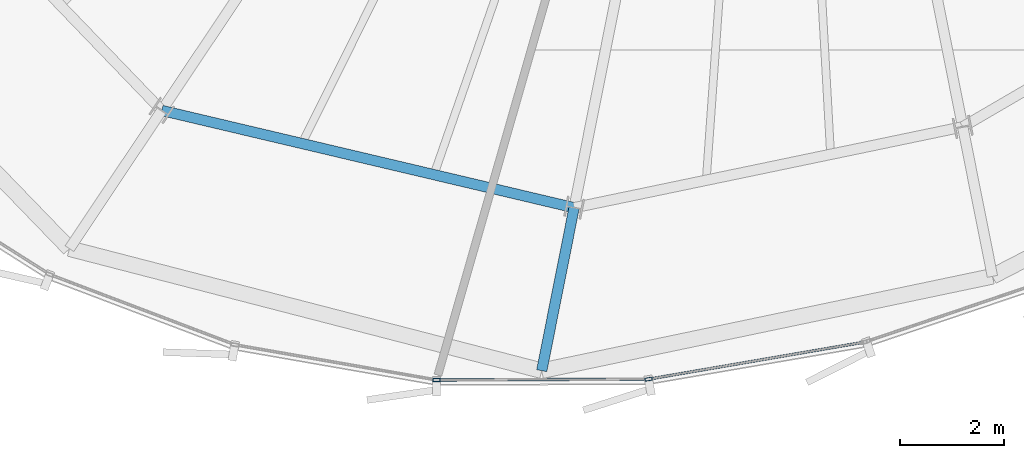
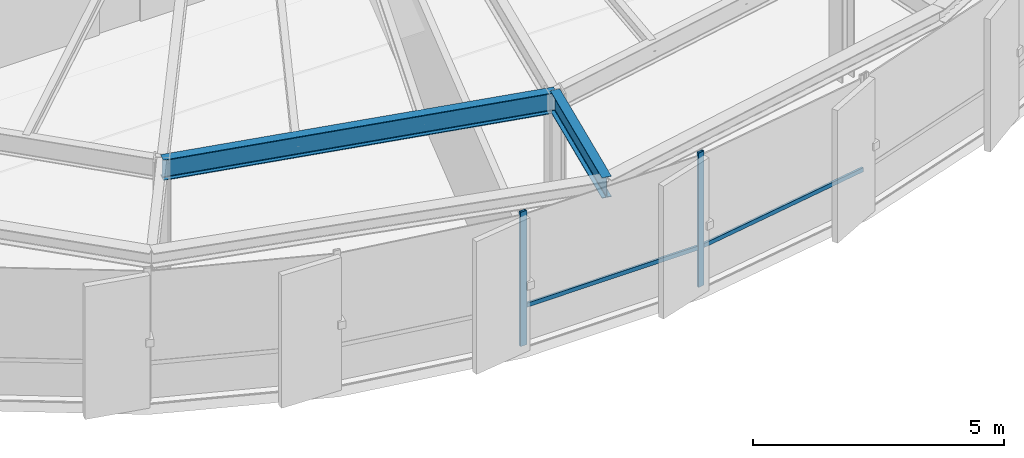
# One storey, part 6 of 35: 4 members, 2 beams, 1 element without a shape of its own.
"""IFC4 building model written with IfcOpenShell, lengths in metres."""

import ifcopenshell
import ifcopenshell.guid

model = None  # the IFC model being written
_history = None  # IfcOwnerHistory: only IFC2X3 demands one
_inside = {}  # id of a spatial element -> (the spatial element, [elements in it])
_under = {}  # id of a project, library or spatial element -> (it, [spatial elements below it])
_declared = {}  # id of a project -> (the project, [libraries it declares])
_typed = {}  # id of a type object -> (the type object, [elements of that type])
_made_of = {}  # id of a material, layer set ... -> (it, [elements and type objects made of it])


def new_model(schema):
    """Start an empty IFC model of exactly this schema.

    Asked for "IFC4X3", IfcOpenShell would pick the latest addendum, in which some entities
    have other attributes; the version numbers below select the first issue.
    IFC2X3 requires an IfcOwnerHistory on every rooted entity: one is made here for all.
    """
    global model, _history
    if schema == "IFC4X3":
        model = ifcopenshell.file(schema_version=(4, 3, 0, 0))
    else:
        model = ifcopenshell.file(schema=schema)
    _inside.clear()
    _under.clear()
    _declared.clear()
    _typed.clear()
    _made_of.clear()
    _history = None
    if model.schema == "IFC2X3":
        org = make("IfcOrganization", Name="unknown")
        user = make(
            "IfcPersonAndOrganization",
            ThePerson=make("IfcPerson", FamilyName="unknown"),
            TheOrganization=org,
        )
        app = make(
            "IfcApplication",
            ApplicationDeveloper=org,
            Version="unknown",
            ApplicationFullName="unknown",
            ApplicationIdentifier="unknown",
        )
        _history = make(
            "IfcOwnerHistory",
            OwningUser=user,
            OwningApplication=app,
            ChangeAction="ADDED",
            CreationDate=0,
        )
    return model


def make(cls, **values):
    """One entity of the class cls with the attributes given. An attribute that is None is left unset."""
    return model.create_entity(
        cls, **{name: value for name, value in values.items() if value is not None}
    )


def rooted(cls, **values):
    """An entity with a GlobalId (a new one), such as an element, a storey or a relation."""
    return make(cls, GlobalId=ifcopenshell.guid.new(), OwnerHistory=_history, **values)


def si_unit(unit_type, name, prefix=None):
    """IfcSIUnit, for example si_unit("LENGTHUNIT", "METRE", prefix="MILLI")."""
    return make("IfcSIUnit", UnitType=unit_type, Prefix=prefix, Name=name)


def assignment(units):
    """IfcUnitAssignment: the units of a project."""
    return None if units is None else make("IfcUnitAssignment", Units=units)


def point(xyz):
    """IfcCartesianPoint."""
    return None if xyz is None else make("IfcCartesianPoint", Coordinates=xyz)


def direction(xyz):
    """IfcDirection."""
    return None if xyz is None else make("IfcDirection", DirectionRatios=xyz)


def frame(location, z_axis=None, x_axis=None):
    """IfcAxis2Placement3D, a coordinate frame: its origin and axes. An axis left out is left unset."""
    return make(
        "IfcAxis2Placement3D",
        Location=point(location),
        Axis=direction(z_axis),
        RefDirection=direction(x_axis),
    )


def frame_2d(location, x_axis=None):
    """IfcAxis2Placement2D, a coordinate frame in the plane: its origin and x axis."""
    return make(
        "IfcAxis2Placement2D", Location=point(location), RefDirection=direction(x_axis)
    )


def origin():
    """The frame at (0, 0, 0) with its axes left unset."""
    return frame((0.0, 0.0, 0.0))


def origin_2d():
    """The frame at (0, 0) in the plane with its x axis left unset."""
    return frame_2d((0.0, 0.0))


def place(relative_to, where):
    """IfcLocalPlacement: puts the frame where relative to a parent placement (None: the world)."""
    return make(
        "IfcLocalPlacement", PlacementRelTo=relative_to, RelativePlacement=where
    )


def context(
    kind, dimensions, precision=None, world=None, true_north=None, identifier=None
):
    """IfcGeometricRepresentationContext, for example the 3D "Model" context."""
    return make(
        "IfcGeometricRepresentationContext",
        ContextIdentifier=identifier,
        ContextType=kind,
        CoordinateSpaceDimension=dimensions,
        Precision=precision,
        WorldCoordinateSystem=world,
        TrueNorth=true_north,
    )


def subcontext(parent, identifier, kind, view, scale=None):
    """IfcGeometricRepresentationSubContext, for example "Body" below "Model"."""
    return make(
        "IfcGeometricRepresentationSubContext",
        ContextIdentifier=identifier,
        ContextType=kind,
        ParentContext=parent,
        TargetScale=scale,
        TargetView=view,
    )


def project(units=None, contexts=None):
    """IfcProject with its units and contexts."""
    return rooted(
        "IfcProject",
        Name="project",
        RepresentationContexts=contexts,
        UnitsInContext=assignment(units),
    )


def spatial(cls, under=None, at=None, **own):
    """A site, building, storey or space (cls), placed at a placement, below another one or the project."""
    s = rooted(cls, ObjectPlacement=at, **own)
    if under is not None:
        _under.setdefault(under.id(), (under, []))[1].append(s)
    return s


def profile(cls, at=None, kind="AREA", **sizes):
    """A parametric profile (cls). Its sizes go by their IFC names, for example OverallWidth=200.0."""
    return make(cls, ProfileType=kind, Position=at, **sizes)


def hollow_rectangle(**sizes):
    """IfcRectangleHollowProfileDef."""
    return profile("IfcRectangleHollowProfileDef", **sizes)


def i_section(**sizes):
    """IfcIShapeProfileDef."""
    return profile("IfcIShapeProfileDef", **sizes)


def extrude(swept, where, along, depth):
    """IfcExtrudedAreaSolid: the profile swept, set in the frame where, extruded along a direction by depth."""
    return make(
        "IfcExtrudedAreaSolid",
        SweptArea=swept,
        Position=where,
        ExtrudedDirection=direction(along),
        Depth=depth,
    )


def shape(context_of_items, identifier, shape_type, items):
    """IfcShapeRepresentation: the items that make up one representation, for example the "Body"."""
    return make(
        "IfcShapeRepresentation",
        ContextOfItems=context_of_items,
        RepresentationIdentifier=identifier,
        RepresentationType=shape_type,
        Items=items,
    )


def source(mapping_origin, context_of_items, identifier, shape_type, items):
    """IfcRepresentationMap: a shape defined once, which mapped items show again and again."""
    return make(
        "IfcRepresentationMap",
        MappingOrigin=mapping_origin,
        MappedRepresentation=shape(context_of_items, identifier, shape_type, items),
    )


def transform(
    local_origin,
    x_axis=None,
    y_axis=None,
    z_axis=None,
    scale=None,
    scale2=None,
    scale3=None,
    uniform=True,
):
    """IfcCartesianTransformationOperator3D, or its non-uniform kind. x_axis, y_axis, z_axis: its Axis1, 2, 3."""
    if uniform:
        return make(
            "IfcCartesianTransformationOperator3D",
            Axis1=direction(x_axis),
            Axis2=direction(y_axis),
            LocalOrigin=point(local_origin),
            Scale=scale,
            Axis3=direction(z_axis),
        )
    return make(
        "IfcCartesianTransformationOperator3DnonUniform",
        Axis1=direction(x_axis),
        Axis2=direction(y_axis),
        LocalOrigin=point(local_origin),
        Scale=scale,
        Axis3=direction(z_axis),
        Scale2=scale2,
        Scale3=scale3,
    )


def mapped(mapping_source, mapping_target):
    """IfcMappedItem: shows the shape of a source again, moved by a transform."""
    return make(
        "IfcMappedItem", MappingSource=mapping_source, MappingTarget=mapping_target
    )


def material(Name=None, Category=None):
    """IfcMaterial."""
    return make("IfcMaterial", Name=Name, Category=Category)


def layer(
    of_material, thickness, ventilated=None, Name=None, Category=None, Priority=None
):
    """IfcMaterialLayer: one layer of a wall or slab, of a material (None: an air gap)."""
    return make(
        "IfcMaterialLayer",
        Material=of_material,
        LayerThickness=thickness,
        IsVentilated=ventilated,
        Name=Name,
        Category=Category,
        Priority=Priority,
    )


def layer_set(layers, Name=None):
    """IfcMaterialLayerSet."""
    return make("IfcMaterialLayerSet", MaterialLayers=layers, LayerSetName=Name)


def material_profile(
    of_material, cross_section, Name=None, Category=None, Priority=None
):
    """IfcMaterialProfile: a cross section and its material."""
    return make(
        "IfcMaterialProfile",
        Name=Name,
        Material=of_material,
        Profile=cross_section,
        Priority=Priority,
        Category=Category,
    )


def profile_set(profiles, Name=None, composite=None):
    """IfcMaterialProfileSet."""
    return make(
        "IfcMaterialProfileSet",
        Name=Name,
        MaterialProfiles=profiles,
        CompositeProfile=composite,
    )


def made_of(thing, what):
    """Note that an element or type object is made of a material, layer set ...; save() writes the relation."""
    if what is not None:
        _made_of.setdefault(what.id(), (what, []))[1].append(thing)
    return thing


def type_object(cls, material=None, **own):
    """A type object (cls), such as IfcWallType, which elements share."""
    return made_of(rooted(cls, **own), material)


def element(
    cls,
    number,
    at=None,
    inside=None,
    cuts=None,
    type_object=None,
    material=None,
    context=None,
    identifier="Body",
    shape_type=None,
    held_by="IfcProductDefinitionShape",
    body=None,
    shapes=None,
    **own,
):
    """One element of the class cls, such as IfcWall. Its Tag is "e" and its number.

    at: its placement. inside: the storey or other place that contains it. cuts: it is an
    opening in that element (IfcRelVoidsElement). A single representation is given by context,
    identifier, shape_type and body (its items); several are given by shapes. held_by: the class
    of the entity that holds the representations. save() writes the other relations.
    """
    e = rooted(cls, Tag="e%d" % number, ObjectPlacement=at, **own)
    if body is not None:
        shapes = [shape(context, identifier, shape_type, body)]
    if shapes is not None:
        e.Representation = make(held_by, Representations=shapes)
    if inside is not None:
        _inside.setdefault(inside.id(), (inside, []))[1].append(e)
    if cuts is not None:
        rooted(
            "IfcRelVoidsElement", RelatingBuildingElement=cuts, RelatedOpeningElement=e
        )
    if type_object is not None:
        _typed.setdefault(type_object.id(), (type_object, []))[1].append(e)
    return made_of(e, material)


def aggregate(whole, parts):
    """IfcRelAggregates: a whole, such as a stair, and the parts it consists of."""
    return rooted("IfcRelAggregates", RelatingObject=whole, RelatedObjects=parts)


def save(model, path):
    """Write the relations noted so far, then the file.

    IfcRelAggregates (storeys below a building ...), IfcRelContainedInSpatialStructure (elements
    in a storey), IfcRelDefinesByType, IfcRelAssociatesMaterial and IfcRelDeclares: one each for
    every whole, place, type object, material and project.
    """
    for whole, parts in _under.values():
        aggregate(whole, parts)
    for where, things in _inside.values():
        rooted(
            "IfcRelContainedInSpatialStructure",
            RelatedElements=things,
            RelatingStructure=where,
        )
    for kind, things in _typed.values():
        rooted("IfcRelDefinesByType", RelatedObjects=things, RelatingType=kind)
    for what, things in _made_of.values():
        rooted("IfcRelAssociatesMaterial", RelatedObjects=things, RelatingMaterial=what)
    for by, libraries in _declared.values():
        rooted("IfcRelDeclares", RelatingContext=by, RelatedDefinitions=libraries)
    model.write(path)


model = new_model("IFC4")

# Units and contexts
model_context = context("Model", 3, precision=1e-05, world=origin(), true_north=direction((0.0, 1.0)))
body_context = subcontext(model_context, "Body", "Model", "MODEL_VIEW")
ifc_project = project(units=[si_unit("LENGTHUNIT", "METRE"), si_unit("AREAUNIT", "SQUARE_METRE"), si_unit("VOLUMEUNIT", "CUBIC_METRE"), si_unit("PLANEANGLEUNIT", "RADIAN"), si_unit("MASSUNIT", "GRAM", prefix="KILO"), si_unit("THERMODYNAMICTEMPERATUREUNIT", "KELVIN")], contexts=[model_context])

# Site, building, storey
site_placement = place(None, origin())
site = spatial("IfcSite", under=ifc_project, at=site_placement, CompositionType="ELEMENT")
building_placement = place(site_placement, origin())
building = spatial("IfcBuilding", under=site, at=building_placement, Name="Kethvar Cultural Tower", CompositionType="ELEMENT")
storey_placement = place(building_placement, frame((0.0, 0.0, 193.89990234375)))
storey = spatial("IfcBuildingStorey", under=building, at=storey_placement, Name="L50", CompositionType="ELEMENT", Elevation=193.89990234375)

# Beams
ifc_material_1 = material(Name="Steel S355J2", Category="steel")
ifc_material_profile_1 = material_profile(ifc_material_1, i_section(OverallWidth=0.199951171875, OverallDepth=0.5, WebThickness=0.01025390625, FlangeThickness=0.01611328125, FilletRadius=0.02099609375, at=origin_2d()), Name="Steel S355J2 — IPE500")
ifc_profile_set_1 = profile_set([ifc_material_profile_1], Name="Steel S355J2 — IPE500")
beam_type = type_object("IfcBeamType", Name="BM-IPE500", PredefinedType="BEAM", material=ifc_profile_set_1)
shared_shape_1 = source(origin(), body_context, "Body", "SweptSolid", [
    extrude(i_section(OverallWidth=0.199951171875, OverallDepth=0.5, WebThickness=0.01025390625, FlangeThickness=0.01611328125, FilletRadius=0.02099609375, at=origin_2d()), origin(), (0.0, 0.0, 1.0), 3.199951171875),
])
beam_1_placement = place(storey_placement, frame((42.903564453125, 8.2109375, 3.008056640625), z_axis=(-0.195088965533, -0.980785550224, 0.0), x_axis=(0.980785550224, -0.195088965533, 0.0)))
element("IfcBeam", 1, at=beam_1_placement, inside=storey, type_object=beam_type, Name="L50 Perimeter Cantilever Beam RC-12", PredefinedType="BEAM", context=body_context, shape_type="MappedRepresentation", body=[
    mapped(shared_shape_1, transform((0.0, 0.0, 0.0), scale=1.0)),
])
shared_shape_2 = source(origin(), body_context, "Body", "SweptSolid", [
    extrude(i_section(OverallWidth=0.199951171875, OverallDepth=0.5, WebThickness=0.01025390625, FlangeThickness=0.01611328125, FilletRadius=0.02099609375, at=origin_2d()), origin(), (0.0, 0.0, 1.0), 8.158935546875),
])
beam_2_placement = place(storey_placement, frame((34.962646484375, 10.084228515625, 3.008056640625), z_axis=(0.973284754953, -0.229601362748, 0.0), x_axis=(0.229601362748, 0.973284754953, 0.0)))
element("IfcBeam", 2, at=beam_2_placement, inside=storey, type_object=beam_type, Name="L50 Column Ring Tie Beam CR-11", PredefinedType="BEAM", context=body_context, shape_type="MappedRepresentation", body=[
    mapped(shared_shape_2, transform((0.0, 0.0, 0.0), scale=1.0)),
])

# Curtain wall, members
ifc_material_2 = material(Name="Aluminium 6063-T6", Category="aluminium")
ifc_layer = layer(ifc_material_2, 0.179931640625, Name="Aluminium 6063-T6", Category="aluminium")
ifc_layer_set = layer_set([ifc_layer], Name="Aluminium 6063-T6 (180 mm)")
curtain_wall_type = type_object("IfcCurtainWallType", Name="CW-SYS-04-Z34", PredefinedType="NOTDEFINED", material=ifc_layer_set)
curtain_wall_placement = place(storey_placement, origin())
curtain_wall = element("IfcCurtainWall", 3, at=curtain_wall_placement, inside=storey, type_object=curtain_wall_type, Name="L50 Curtain Wall Run 04", PredefinedType="NOTDEFINED")
ifc_material_profile_2 = material_profile(ifc_material_2, hollow_rectangle(XDim=0.06005859375, YDim=0.139892578125, WallThickness=0.0048828125, at=origin_2d()), Name="Aluminium 6063-T6 — RHS140x60x5")
ifc_profile_set_2 = profile_set([ifc_material_profile_2], Name="Aluminium 6063-T6 — RHS140x60x5")
member_type_1 = type_object("IfcMemberType", Name="CW-SYS-04-Z34-MUL", PredefinedType="MULLION", material=ifc_profile_set_2)
shared_shape_3 = source(origin(), body_context, "Body", "SweptSolid", [
    extrude(hollow_rectangle(XDim=0.06005859375, YDim=0.139892578125, WallThickness=0.0048828125, at=origin_2d()), origin(), (0.0, 0.0, 1.0), 3.260009765625),
])
member_1_placement = place(storey_placement, frame((40.2529296875, 4.892822265625, 0.0), z_axis=(0.0, 0.0, 1.0), x_axis=(-0.004468028019, 0.999990018313, 0.0)))
member_1 = element("IfcMember", 4, at=member_1_placement, type_object=member_type_1, Name="CW-L50-R04 Mullion 5", PredefinedType="MULLION", context=body_context, shape_type="MappedRepresentation", body=[
    mapped(shared_shape_3, transform((0.0, 0.0, 0.0), scale=1.0)),
])
member_2_placement = place(storey_placement, frame((44.3369140625, 4.90966796875, 0.0), z_axis=(0.0, 0.0, 1.0), x_axis=(-0.169229094198, 0.985576741648, 0.0)))
member_2 = element("IfcMember", 5, at=member_2_placement, type_object=member_type_1, Name="CW-L50-R04 Mullion 6", PredefinedType="MULLION", context=body_context, shape_type="MappedRepresentation", body=[
    mapped(shared_shape_3, transform((0.0, 0.0, 0.0), scale=1.0)),
])
ifc_material_profile_3 = material_profile(ifc_material_2, hollow_rectangle(XDim=0.050048828125, YDim=0.10009765625, WallThickness=0.00390625, at=origin_2d()), Name="Aluminium 6063-T6 — RHS100x50x4")
ifc_profile_set_3 = profile_set([ifc_material_profile_3], Name="Aluminium 6063-T6 — RHS100x50x4")
member_type_2 = type_object("IfcMemberType", Name="CW-SYS-04-Z34-TRN", PredefinedType="USERDEFINED", material=ifc_profile_set_3)
shared_shape_4 = source(origin(), body_context, "Body", "SweptSolid", [
    extrude(hollow_rectangle(XDim=0.050048828125, YDim=0.10009765625, WallThickness=0.00390625, at=origin_2d()), origin(), (0.0, 0.0, 1.0), 4.015625),
])
member_3_placement = place(storey_placement, frame((40.296142578125, 4.89306640625, 0.9501953125), z_axis=(0.999990151205, 0.004438185861, 0.0), x_axis=(-0.004438185861, 0.999990151205, 0.0)))
member_3 = element("IfcMember", 6, at=member_3_placement, type_object=member_type_2, Name="CW-L50-R04 Transom 5", ObjectType="TRANSOM", PredefinedType="USERDEFINED", context=body_context, shape_type="MappedRepresentation", body=[
    mapped(shared_shape_4, transform((0.0, 0.0, 0.0), scale=1.0)),
])
shared_shape_5 = source(origin(), body_context, "Body", "SweptSolid", [
    extrude(hollow_rectangle(XDim=0.050048828125, YDim=0.10009765625, WallThickness=0.00390625, at=origin_2d()), origin(), (0.0, 0.0, 1.0), 4.15087890625),
])
member_4_placement = place(storey_placement, frame((44.37939453125, 4.9169921875, 0.9501953125), z_axis=(0.985579405504, 0.169213579378, 0.0), x_axis=(-0.169213579378, 0.985579405504, 0.0)))
member_4 = element("IfcMember", 7, at=member_4_placement, type_object=member_type_2, Name="CW-L50-R04 Transom 6", ObjectType="TRANSOM", PredefinedType="USERDEFINED", context=body_context, shape_type="MappedRepresentation", body=[
    mapped(shared_shape_5, transform((0.0, 0.0, 0.0), scale=1.0)),
])
aggregate(curtain_wall, [member_1, member_2, member_3, member_4])

save(model, "model.ifc")
